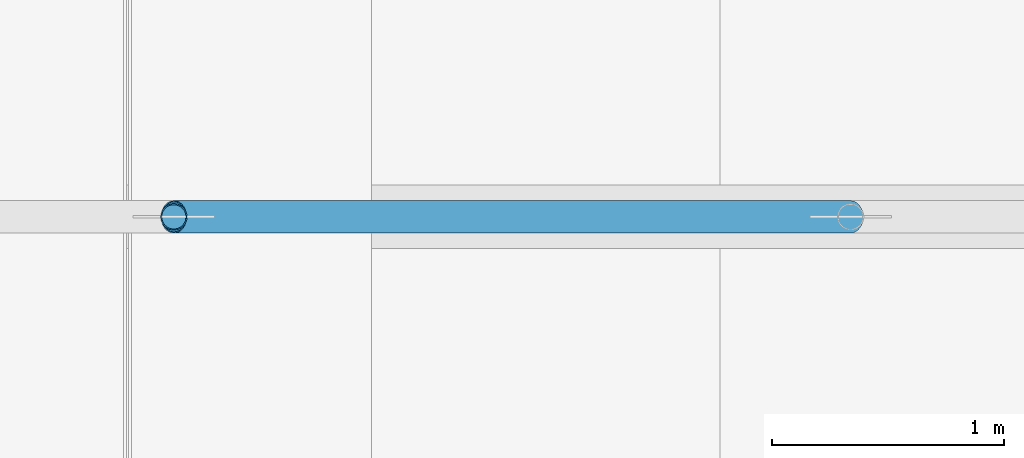
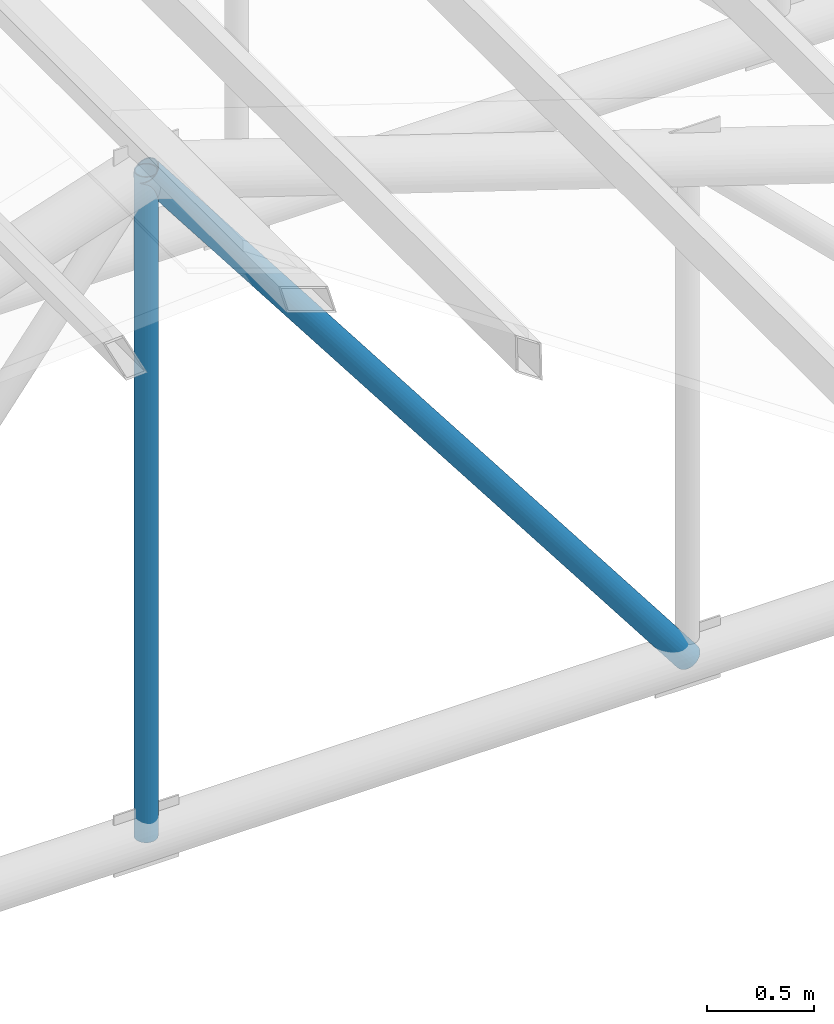
# One storey, part 39 of 95: 2 members.
"""IFC4 building model written with IfcOpenShell, lengths in metres."""

import ifcopenshell
import ifcopenshell.guid

model = None  # the IFC model being written
_history = None  # IfcOwnerHistory: only IFC2X3 demands one
_inside = {}  # id of a spatial element -> (the spatial element, [elements in it])
_under = {}  # id of a project, library or spatial element -> (it, [spatial elements below it])
_declared = {}  # id of a project -> (the project, [libraries it declares])
_typed = {}  # id of a type object -> (the type object, [elements of that type])
_made_of = {}  # id of a material, layer set ... -> (it, [elements and type objects made of it])


def new_model(schema):
    """Start an empty IFC model of exactly this schema.

    Asked for "IFC4X3", IfcOpenShell would pick the latest addendum, in which some entities
    have other attributes; the version numbers below select the first issue.
    IFC2X3 requires an IfcOwnerHistory on every rooted entity: one is made here for all.
    """
    global model, _history
    if schema == "IFC4X3":
        model = ifcopenshell.file(schema_version=(4, 3, 0, 0))
    else:
        model = ifcopenshell.file(schema=schema)
    _inside.clear()
    _under.clear()
    _declared.clear()
    _typed.clear()
    _made_of.clear()
    _history = None
    if model.schema == "IFC2X3":
        org = make("IfcOrganization", Name="unknown")
        user = make(
            "IfcPersonAndOrganization",
            ThePerson=make("IfcPerson", FamilyName="unknown"),
            TheOrganization=org,
        )
        app = make(
            "IfcApplication",
            ApplicationDeveloper=org,
            Version="unknown",
            ApplicationFullName="unknown",
            ApplicationIdentifier="unknown",
        )
        _history = make(
            "IfcOwnerHistory",
            OwningUser=user,
            OwningApplication=app,
            ChangeAction="ADDED",
            CreationDate=0,
        )
    return model


def make(cls, **values):
    """One entity of the class cls with the attributes given. An attribute that is None is left unset."""
    return model.create_entity(
        cls, **{name: value for name, value in values.items() if value is not None}
    )


def rooted(cls, **values):
    """An entity with a GlobalId (a new one), such as an element, a storey or a relation."""
    return make(cls, GlobalId=ifcopenshell.guid.new(), OwnerHistory=_history, **values)


def si_unit(unit_type, name, prefix=None):
    """IfcSIUnit, for example si_unit("LENGTHUNIT", "METRE", prefix="MILLI")."""
    return make("IfcSIUnit", UnitType=unit_type, Prefix=prefix, Name=name)


def assignment(units):
    """IfcUnitAssignment: the units of a project."""
    return None if units is None else make("IfcUnitAssignment", Units=units)


def point(xyz):
    """IfcCartesianPoint."""
    return None if xyz is None else make("IfcCartesianPoint", Coordinates=xyz)


def direction(xyz):
    """IfcDirection."""
    return None if xyz is None else make("IfcDirection", DirectionRatios=xyz)


def frame(location, z_axis=None, x_axis=None):
    """IfcAxis2Placement3D, a coordinate frame: its origin and axes. An axis left out is left unset."""
    return make(
        "IfcAxis2Placement3D",
        Location=point(location),
        Axis=direction(z_axis),
        RefDirection=direction(x_axis),
    )


def frame_2d(location, x_axis=None):
    """IfcAxis2Placement2D, a coordinate frame in the plane: its origin and x axis."""
    return make(
        "IfcAxis2Placement2D", Location=point(location), RefDirection=direction(x_axis)
    )


def origin():
    """The frame at (0, 0, 0) with its axes left unset."""
    return frame((0.0, 0.0, 0.0))


def origin_2d():
    """The frame at (0, 0) in the plane with its x axis left unset."""
    return frame_2d((0.0, 0.0))


def place(relative_to, where):
    """IfcLocalPlacement: puts the frame where relative to a parent placement (None: the world)."""
    return make(
        "IfcLocalPlacement", PlacementRelTo=relative_to, RelativePlacement=where
    )


def context(
    kind, dimensions, precision=None, world=None, true_north=None, identifier=None
):
    """IfcGeometricRepresentationContext, for example the 3D "Model" context."""
    return make(
        "IfcGeometricRepresentationContext",
        ContextIdentifier=identifier,
        ContextType=kind,
        CoordinateSpaceDimension=dimensions,
        Precision=precision,
        WorldCoordinateSystem=world,
        TrueNorth=true_north,
    )


def subcontext(parent, identifier, kind, view, scale=None):
    """IfcGeometricRepresentationSubContext, for example "Body" below "Model"."""
    return make(
        "IfcGeometricRepresentationSubContext",
        ContextIdentifier=identifier,
        ContextType=kind,
        ParentContext=parent,
        TargetScale=scale,
        TargetView=view,
    )


def project(units=None, contexts=None):
    """IfcProject with its units and contexts."""
    return rooted(
        "IfcProject",
        Name="project",
        RepresentationContexts=contexts,
        UnitsInContext=assignment(units),
    )


def spatial(cls, under=None, at=None, **own):
    """A site, building, storey or space (cls), placed at a placement, below another one or the project."""
    s = rooted(cls, ObjectPlacement=at, **own)
    if under is not None:
        _under.setdefault(under.id(), (under, []))[1].append(s)
    return s


def profile(cls, at=None, kind="AREA", **sizes):
    """A parametric profile (cls). Its sizes go by their IFC names, for example OverallWidth=200.0."""
    return make(cls, ProfileType=kind, Position=at, **sizes)


def hollow_circle(**sizes):
    """IfcCircleHollowProfileDef."""
    return profile("IfcCircleHollowProfileDef", **sizes)


def extrude(swept, where, along, depth):
    """IfcExtrudedAreaSolid: the profile swept, set in the frame where, extruded along a direction by depth."""
    return make(
        "IfcExtrudedAreaSolid",
        SweptArea=swept,
        Position=where,
        ExtrudedDirection=direction(along),
        Depth=depth,
    )


def shape(context_of_items, identifier, shape_type, items):
    """IfcShapeRepresentation: the items that make up one representation, for example the "Body"."""
    return make(
        "IfcShapeRepresentation",
        ContextOfItems=context_of_items,
        RepresentationIdentifier=identifier,
        RepresentationType=shape_type,
        Items=items,
    )


def material(Name=None, Category=None):
    """IfcMaterial."""
    return make("IfcMaterial", Name=Name, Category=Category)


def material_profile(
    of_material, cross_section, Name=None, Category=None, Priority=None
):
    """IfcMaterialProfile: a cross section and its material."""
    return make(
        "IfcMaterialProfile",
        Name=Name,
        Material=of_material,
        Profile=cross_section,
        Priority=Priority,
        Category=Category,
    )


def profile_set(profiles, Name=None, composite=None):
    """IfcMaterialProfileSet."""
    return make(
        "IfcMaterialProfileSet",
        Name=Name,
        MaterialProfiles=profiles,
        CompositeProfile=composite,
    )


def made_of(thing, what):
    """Note that an element or type object is made of a material, layer set ...; save() writes the relation."""
    if what is not None:
        _made_of.setdefault(what.id(), (what, []))[1].append(thing)
    return thing


def type_object(cls, material=None, **own):
    """A type object (cls), such as IfcWallType, which elements share."""
    return made_of(rooted(cls, **own), material)


def element(
    cls,
    number,
    at=None,
    inside=None,
    cuts=None,
    type_object=None,
    material=None,
    context=None,
    identifier="Body",
    shape_type=None,
    held_by="IfcProductDefinitionShape",
    body=None,
    shapes=None,
    **own,
):
    """One element of the class cls, such as IfcWall. Its Tag is "e" and its number.

    at: its placement. inside: the storey or other place that contains it. cuts: it is an
    opening in that element (IfcRelVoidsElement). A single representation is given by context,
    identifier, shape_type and body (its items); several are given by shapes. held_by: the class
    of the entity that holds the representations. save() writes the other relations.
    """
    e = rooted(cls, Tag="e%d" % number, ObjectPlacement=at, **own)
    if body is not None:
        shapes = [shape(context, identifier, shape_type, body)]
    if shapes is not None:
        e.Representation = make(held_by, Representations=shapes)
    if inside is not None:
        _inside.setdefault(inside.id(), (inside, []))[1].append(e)
    if cuts is not None:
        rooted(
            "IfcRelVoidsElement", RelatingBuildingElement=cuts, RelatedOpeningElement=e
        )
    if type_object is not None:
        _typed.setdefault(type_object.id(), (type_object, []))[1].append(e)
    return made_of(e, material)


def aggregate(whole, parts):
    """IfcRelAggregates: a whole, such as a stair, and the parts it consists of."""
    return rooted("IfcRelAggregates", RelatingObject=whole, RelatedObjects=parts)


def save(model, path):
    """Write the relations noted so far, then the file.

    IfcRelAggregates (storeys below a building ...), IfcRelContainedInSpatialStructure (elements
    in a storey), IfcRelDefinesByType, IfcRelAssociatesMaterial and IfcRelDeclares: one each for
    every whole, place, type object, material and project.
    """
    for whole, parts in _under.values():
        aggregate(whole, parts)
    for where, things in _inside.values():
        rooted(
            "IfcRelContainedInSpatialStructure",
            RelatedElements=things,
            RelatingStructure=where,
        )
    for kind, things in _typed.values():
        rooted("IfcRelDefinesByType", RelatedObjects=things, RelatingType=kind)
    for what, things in _made_of.values():
        rooted("IfcRelAssociatesMaterial", RelatedObjects=things, RelatingMaterial=what)
    for by, libraries in _declared.values():
        rooted("IfcRelDeclares", RelatingContext=by, RelatedDefinitions=libraries)
    model.write(path)


model = new_model("IFC4")

# Units and contexts
model_context = context("Model", 3, precision=1e-05, world=origin(), true_north=direction((0.0, 1.0)))
body_context = subcontext(model_context, "Body", "Model", "MODEL_VIEW")
ifc_project = project(units=[si_unit("LENGTHUNIT", "METRE"), si_unit("AREAUNIT", "SQUARE_METRE"), si_unit("VOLUMEUNIT", "CUBIC_METRE"), si_unit("PLANEANGLEUNIT", "RADIAN"), si_unit("MASSUNIT", "GRAM", prefix="KILO")], contexts=[model_context])

# Site, building, storey
site_placement = place(None, origin())
site = spatial("IfcSite", under=ifc_project, at=site_placement, CompositionType="ELEMENT")
building_placement = place(site_placement, origin())
building = spatial("IfcBuilding", under=site, at=building_placement, Name="Kiln Court Media Centre", CompositionType="ELEMENT")
storey_placement = place(building_placement, frame((0.0, 0.0, 24.60009765625)))
storey = spatial("IfcBuildingStorey", under=building, at=storey_placement, Name="L05", CompositionType="ELEMENT", Elevation=24.60009765625)

# Members
ifc_material_1 = material(Name="Steel ASTM A500 Gr C", Category="steel")
ifc_material_profile_1 = material_profile(ifc_material_1, hollow_circle(Radius=0.05712890625, WallThickness=0.0048828125, at=origin_2d()), Name="CHS 114.3x5.0")
ifc_profile_set_1 = profile_set([ifc_material_profile_1], Name="Steel ASTM A500 Gr C")
member_type_1 = type_object("IfcMemberType", Name="Steel ASTM A500 Gr C CHS 114.3x5.0 truss web", PredefinedType="BRACE", material=ifc_profile_set_1)
member_1_placement = place(storey_placement, frame((46.39990234375, 50.39990234375, -0.013916015625), z_axis=(0.0, 0.0, 1.0), x_axis=(1.0, 0.0, 0.0)))
element("IfcMember", 1, at=member_1_placement, inside=storey, type_object=member_type_1, Name="foyer truss FT-07 post 4 truss web", PredefinedType="BRACE", context=body_context, shape_type="SweptSolid", body=[
    extrude(hollow_circle(Radius=0.05712890625, WallThickness=0.0048828125, at=origin_2d()), origin(), (0.0, 0.0, 1.0), 3.785400390625),
])
ifc_material_2 = material(Name="Steel ASTM A500 Gr C", Category="steel")
ifc_material_profile_2 = material_profile(ifc_material_2, hollow_circle(Radius=0.06982421875, WallThickness=0.0048828125, at=origin_2d()), Name="CHS 139.7x5.0")
ifc_profile_set_2 = profile_set([ifc_material_profile_2], Name="Steel ASTM A500 Gr C")
member_type_2 = type_object("IfcMemberType", Name="Steel ASTM A500 Gr C CHS 139.7x5.0 truss web", PredefinedType="BRACE", material=ifc_profile_set_2)
member_2_placement = place(storey_placement, frame((46.39990234375, 50.39990234375, 3.771484375), z_axis=(0.609809567012, 0.0, -0.792547974561), x_axis=(0.0, 1.0, 0.0)))
element("IfcMember", 2, at=member_2_placement, inside=storey, type_object=member_type_2, Name="foyer truss FT-07 diagonal 5 truss web", PredefinedType="BRACE", context=body_context, shape_type="SweptSolid", body=[
    extrude(hollow_circle(Radius=0.06982421875, WallThickness=0.0048828125, at=origin_2d()), origin(), (0.0, 0.0, 1.0), 4.776123046875),
])

save(model, "model.ifc")
